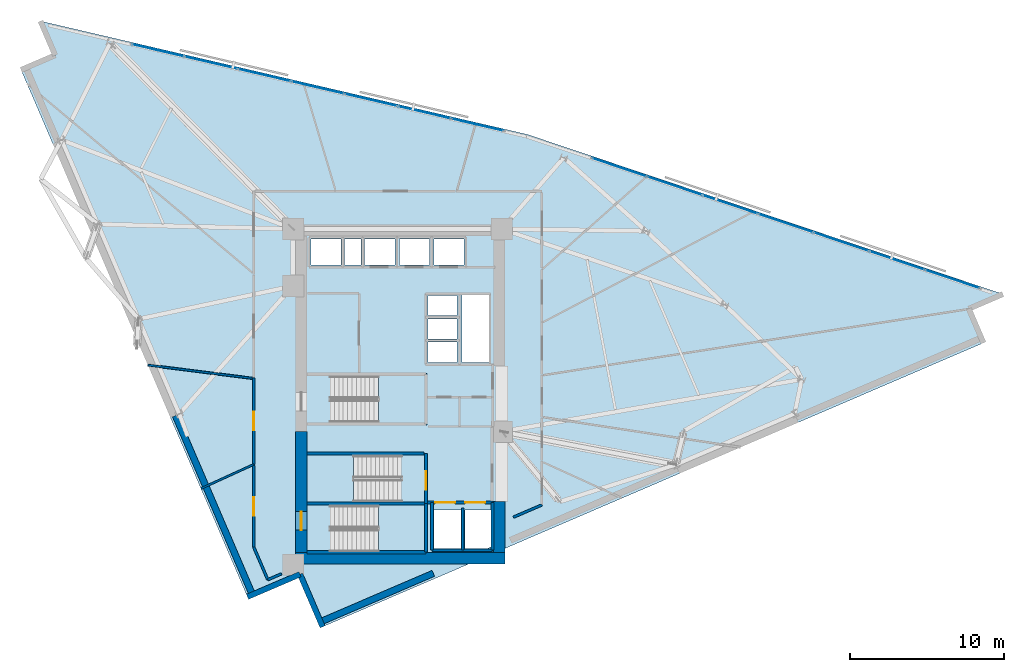
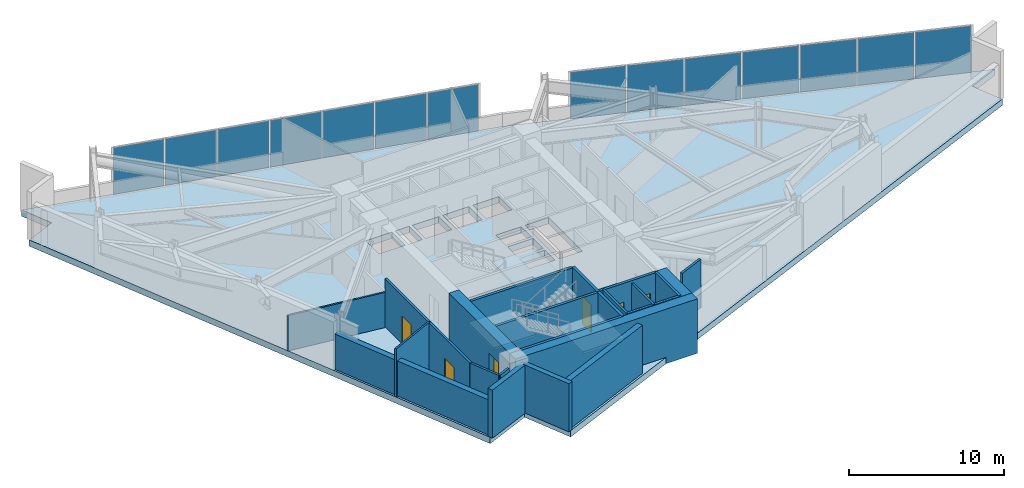
# One storey, part 8 of 14: 24 walls, 14 plates, 6 doors, 4 slabs, 6 openings, 5 elements without a shape of their own.
"""IFC4 building model written with IfcOpenShell, lengths in metres."""

from ifc_helpers import new_model, si_unit, direction, frame, frame_2d, origin, origin_2d, place, context, subcontext, project, spatial, polyline, rectangle, outline, extrude, material, layer, layer_set, type_object, element, fill, aggregate, save


model = new_model("IFC4")

# Units and contexts
model_context = context("Model", 3, precision=1e-05, world=origin(), true_north=direction((0.0, 1.0)))
body_context = subcontext(model_context, "Body", "Model", "MODEL_VIEW")
ifc_project = project(units=[si_unit("LENGTHUNIT", "METRE"), si_unit("AREAUNIT", "SQUARE_METRE"), si_unit("VOLUMEUNIT", "CUBIC_METRE"), si_unit("PLANEANGLEUNIT", "RADIAN"), si_unit("MASSUNIT", "GRAM", prefix="KILO")], contexts=[model_context])

# Site, building, storey
site_placement = place(None, origin())
site = spatial("IfcSite", under=ifc_project, at=site_placement, CompositionType="ELEMENT")
building_placement = place(site_placement, origin())
building = spatial("IfcBuilding", under=site, at=building_placement, Name="Narakoshi Arena Tower", CompositionType="ELEMENT")
storey_placement = place(building_placement, frame((0.0, 0.0, 196.699951171875)))
storey = spatial("IfcBuildingStorey", under=building, at=storey_placement, Name="L53", CompositionType="ELEMENT", Elevation=196.699951171875)

# Curtain wall, plates
ifc_material_1 = material(Name="Anodised bronze aluminium 6063-T6", Category="aluminium")
curtain_wall_type = type_object("IfcCurtainWallType", Name="CW-HYP-MID", PredefinedType="NOTDEFINED", material=ifc_material_1)
curtain_wall_1_placement = place(storey_placement, origin())
curtain_wall_1 = element("IfcCurtainWall", 1, at=curtain_wall_1_placement, inside=storey, type_object=curtain_wall_type, Name="L53 Folded Hypotenuse Curtain Wall 1-1", PredefinedType="NOTDEFINED")
ifc_material_2 = material(Name="Bronze-tinted low-E laminated glass", Category="glass")
ifc_layer_1 = layer(ifc_material_2, 0.0380859375)
ifc_layer_set_1 = layer_set([ifc_layer_1], Name="Bronze-tinted low-E laminated glass")
plate_type = type_object("IfcPlateType", Name="PLT-GLZ-38", PredefinedType="CURTAIN_PANEL", material=ifc_layer_set_1)
plate_1_placement = place(storey_placement, frame((114.78466796875, 53.2509765625, 0.065185546875), z_axis=(0.0, 0.0, 1.0), x_axis=(-0.948003144077, 0.318260960253, 0.0)))
plate_1 = element("IfcPlate", 2, at=plate_1_placement, type_object=plate_type, Name="CW-02 panel 1.1", PredefinedType="CURTAIN_PANEL", context=body_context, shape_type="SweptSolid", body=[
    extrude(rectangle(XDim=3.69287109375, YDim=0.0380859375, at=origin_2d()), origin(), (0.0, 0.0, 1.0), 3.669921875),
])
plate_2_placement = place(storey_placement, frame((111.19482421875, 54.4560546875, 0.065185546875), z_axis=(0.0, 0.0, 1.0), x_axis=(-0.948003144077, 0.318260960253, 0.0)))
plate_2 = element("IfcPlate", 3, at=plate_2_placement, type_object=plate_type, Name="CW-02 panel 2.1", PredefinedType="CURTAIN_PANEL", context=body_context, shape_type="SweptSolid", body=[
    extrude(rectangle(XDim=3.73046875, YDim=0.0380859375, at=origin_2d()), origin(), (0.0, 0.0, 1.0), 3.669921875),
])
plate_3_placement = place(storey_placement, frame((107.58740234375, 55.667236328125, 0.065185546875), z_axis=(0.0, 0.0, 1.0), x_axis=(-0.948003144077, 0.318260960253, 0.0)))
plate_3 = element("IfcPlate", 4, at=plate_3_placement, type_object=plate_type, Name="CW-02 panel 3.1", PredefinedType="CURTAIN_PANEL", context=body_context, shape_type="SweptSolid", body=[
    extrude(rectangle(XDim=3.73046875, YDim=0.0380859375, at=origin_2d()), origin(), (0.0, 0.0, 1.0), 3.669921875),
])
plate_4_placement = place(storey_placement, frame((103.979736328125, 56.87841796875, 0.065185546875), z_axis=(0.0, 0.0, 1.0), x_axis=(-0.948003144077, 0.318260960253, 0.0)))
plate_4 = element("IfcPlate", 5, at=plate_4_placement, type_object=plate_type, Name="CW-02 panel 4.1", PredefinedType="CURTAIN_PANEL", context=body_context, shape_type="SweptSolid", body=[
    extrude(rectangle(XDim=3.73046875, YDim=0.0380859375, at=origin_2d()), origin(), (0.0, 0.0, 1.0), 3.669921875),
])
plate_5_placement = place(storey_placement, frame((100.3720703125, 58.089599609375, 0.065185546875), z_axis=(0.0, 0.0, 1.0), x_axis=(-0.948003144077, 0.318260960253, 0.0)))
plate_5 = element("IfcPlate", 6, at=plate_5_placement, type_object=plate_type, Name="CW-02 panel 5.1", PredefinedType="CURTAIN_PANEL", context=body_context, shape_type="SweptSolid", body=[
    extrude(rectangle(XDim=3.73046875, YDim=0.0380859375, at=origin_2d()), origin(), (0.0, 0.0, 1.0), 3.669921875),
])
plate_6_placement = place(storey_placement, frame((96.7646484375, 59.300537109375, 0.065185546875), z_axis=(0.0, 0.0, 1.0), x_axis=(-0.948003144077, 0.318260960253, 0.0)))
plate_6 = element("IfcPlate", 7, at=plate_6_placement, type_object=plate_type, Name="CW-02 panel 6.1", PredefinedType="CURTAIN_PANEL", context=body_context, shape_type="SweptSolid", body=[
    extrude(rectangle(XDim=3.73046875, YDim=0.0380859375, at=origin_2d()), origin(), (0.0, 0.0, 1.0), 3.669921875),
])
plate_7_placement = place(storey_placement, frame((93.1748046875, 60.505859375, 0.065185546875), z_axis=(0.0, 0.0, 1.0), x_axis=(-0.948003144077, 0.318260960253, 0.0)))
plate_7 = element("IfcPlate", 8, at=plate_7_placement, type_object=plate_type, Name="CW-02 panel 7.1", PredefinedType="CURTAIN_PANEL", context=body_context, shape_type="SweptSolid", body=[
    extrude(rectangle(XDim=3.69287109375, YDim=0.0380859375, at=origin_2d()), origin(), (0.0, 0.0, 1.0), 3.669921875),
])
aggregate(curtain_wall_1, [plate_1, plate_2, plate_3, plate_4, plate_5, plate_6, plate_7])

curtain_wall_2_placement = place(storey_placement, origin())
curtain_wall_2 = element("IfcCurtainWall", 9, at=curtain_wall_2_placement, inside=storey, type_object=curtain_wall_type, Name="L53 Folded Hypotenuse Curtain Wall 2-1", PredefinedType="NOTDEFINED")
plate_8_placement = place(storey_placement, frame((83.964599609375, 63.26806640625, 0.065185546875), z_axis=(0.0, 0.0, 1.0), x_axis=(-0.973959695189, 0.22672122121, 0.0)))
plate_8 = element("IfcPlate", 10, at=plate_8_placement, type_object=plate_type, Name="CW-02 panel 1.1", PredefinedType="CURTAIN_PANEL", context=body_context, shape_type="SweptSolid", body=[
    extrude(rectangle(XDim=3.44091796875, YDim=0.0380859375, at=origin_2d()), origin(), (0.0, 0.0, 1.0), 3.669921875),
])
plate_9_placement = place(storey_placement, frame((80.52197265625, 64.0693359375, 0.065185546875), z_axis=(0.0, 0.0, 1.0), x_axis=(-0.973959695189, 0.22672122121, 0.0)))
plate_9 = element("IfcPlate", 11, at=plate_9_placement, type_object=plate_type, Name="CW-02 panel 2.1", PredefinedType="CURTAIN_PANEL", context=body_context, shape_type="SweptSolid", body=[
    extrude(rectangle(XDim=3.478271484375, YDim=0.0380859375, at=origin_2d()), origin(), (0.0, 0.0, 1.0), 3.669921875),
])
plate_10_placement = place(storey_placement, frame((77.06103515625, 64.875, 0.065185546875), z_axis=(0.0, 0.0, 1.0), x_axis=(-0.973959695189, 0.22672122121, 0.0)))
plate_10 = element("IfcPlate", 12, at=plate_10_placement, type_object=plate_type, Name="CW-02 panel 3.1", PredefinedType="CURTAIN_PANEL", context=body_context, shape_type="SweptSolid", body=[
    extrude(rectangle(XDim=3.478271484375, YDim=0.0380859375, at=origin_2d()), origin(), (0.0, 0.0, 1.0), 3.669921875),
])
plate_11_placement = place(storey_placement, frame((73.60009765625, 65.6806640625, 0.065185546875), z_axis=(0.0, 0.0, 1.0), x_axis=(-0.973959695189, 0.22672122121, 0.0)))
plate_11 = element("IfcPlate", 13, at=plate_11_placement, type_object=plate_type, Name="CW-02 panel 4.1", PredefinedType="CURTAIN_PANEL", context=body_context, shape_type="SweptSolid", body=[
    extrude(rectangle(XDim=3.478271484375, YDim=0.0380859375, at=origin_2d()), origin(), (0.0, 0.0, 1.0), 3.669921875),
])
plate_12_placement = place(storey_placement, frame((70.139404296875, 66.486328125, 0.065185546875), z_axis=(0.0, 0.0, 1.0), x_axis=(-0.973959695189, 0.22672122121, 0.0)))
plate_12 = element("IfcPlate", 14, at=plate_12_placement, type_object=plate_type, Name="CW-02 panel 5.1", PredefinedType="CURTAIN_PANEL", context=body_context, shape_type="SweptSolid", body=[
    extrude(rectangle(XDim=3.478271484375, YDim=0.0380859375, at=origin_2d()), origin(), (0.0, 0.0, 1.0), 3.669921875),
])
plate_13_placement = place(storey_placement, frame((66.678466796875, 67.2919921875, 0.065185546875), z_axis=(0.0, 0.0, 1.0), x_axis=(-0.973959695189, 0.22672122121, 0.0)))
plate_13 = element("IfcPlate", 15, at=plate_13_placement, type_object=plate_type, Name="CW-02 panel 6.1", PredefinedType="CURTAIN_PANEL", context=body_context, shape_type="SweptSolid", body=[
    extrude(rectangle(XDim=3.478271484375, YDim=0.0380859375, at=origin_2d()), origin(), (0.0, 0.0, 1.0), 3.669921875),
])
plate_14_placement = place(storey_placement, frame((63.23583984375, 68.09326171875, 0.065185546875), z_axis=(0.0, 0.0, 1.0), x_axis=(-0.973959695189, 0.22672122121, 0.0)))
plate_14 = element("IfcPlate", 16, at=plate_14_placement, type_object=plate_type, Name="CW-02 panel 7.1", PredefinedType="CURTAIN_PANEL", context=body_context, shape_type="SweptSolid", body=[
    extrude(rectangle(XDim=3.44091796875, YDim=0.0380859375, at=origin_2d()), origin(), (0.0, 0.0, 1.0), 3.669921875),
])
aggregate(curtain_wall_2, [plate_8, plate_9, plate_10, plate_11, plate_12, plate_13, plate_14])

# Stair, slab
ifc_material_3 = material(Name="Concrete C45/55", Category="concrete")
stair_type = type_object("IfcStairType", Name="STR-PLANT-420", PredefinedType="TWO_STRAIGHT_RUN_STAIR", material=ifc_material_3)
stair_1_placement = place(storey_placement, origin())
stair_1 = element("IfcStair", 17, at=stair_1_placement, inside=storey, type_object=stair_type, Name="L53 Core Escape Stair ST1", PredefinedType="TWO_STRAIGHT_RUN_STAIR")
ifc_layer_2 = layer(ifc_material_3, 0.18994140625)
ifc_layer_set_2 = layer_set([ifc_layer_2], Name="Concrete C45/55")
slab_type_1 = type_object("IfcSlabType", Name="SLB-LND-190", PredefinedType="LANDING", material=ifc_layer_set_2)
slab_1_placement = place(storey_placement, frame((0.0, 0.0, 1.91015625)))
slab_1 = element("IfcSlab", 18, at=slab_1_placement, type_object=slab_type_1, Name="ST1 landing 1", PredefinedType="LANDING", context=body_context, shape_type="SweptSolid", body=[
    extrude(outline(polyline([(77.534912109375, 35.3701171875), (80.679931640625, 35.3701171875), (80.679931640625, 38.72998046875), (77.534912109375, 38.72998046875), (77.534912109375, 35.3701171875)])), origin(), (0.0, 0.0, 1.0), 0.18994140625),
])
aggregate(stair_1, [slab_1])

stair_2_placement = place(storey_placement, origin())
stair_2 = element("IfcStair", 19, at=stair_2_placement, inside=storey, type_object=stair_type, Name="L53 Core Escape Stair ST2", PredefinedType="TWO_STRAIGHT_RUN_STAIR")
slab_2_placement = place(storey_placement, frame((0.0, 0.0, 1.91015625)))
slab_2 = element("IfcSlab", 20, at=slab_2_placement, type_object=slab_type_1, Name="ST2 landing 1", PredefinedType="LANDING", context=body_context, shape_type="SweptSolid", body=[
    extrude(outline(polyline([(72.77001953125, 38.6201171875), (75.9150390625, 38.6201171875), (75.9150390625, 41.97998046875), (72.77001953125, 41.97998046875), (72.77001953125, 38.6201171875)])), origin(), (0.0, 0.0, 1.0), 0.18994140625),
])
aggregate(stair_2, [slab_2])

stair_3_placement = place(storey_placement, origin())
stair_3 = element("IfcStair", 21, at=stair_3_placement, inside=storey, type_object=stair_type, Name="L53 Core Escape Stair ST3", PredefinedType="TWO_STRAIGHT_RUN_STAIR")
slab_3_placement = place(storey_placement, frame((0.0, 0.0, 1.91015625)))
slab_3 = element("IfcSlab", 22, at=slab_3_placement, type_object=slab_type_1, Name="ST3 landing 1", PredefinedType="LANDING", context=body_context, shape_type="SweptSolid", body=[
    extrude(outline(polyline([(77.534912109375, 43.77001953125), (80.679931640625, 43.77001953125), (80.679931640625, 47.1298828125), (77.534912109375, 47.1298828125), (77.534912109375, 43.77001953125)])), origin(), (0.0, 0.0, 1.0), 0.18994140625),
])
aggregate(stair_3, [slab_3])

# Slab
ifc_material_4 = material(Name="Concrete C50/60", Category="concrete")
ifc_layer_3 = layer(ifc_material_4, 0.5)
ifc_layer_set_3 = layer_set([ifc_layer_3], Name="Concrete C50/60")
slab_type_2 = type_object("IfcSlabType", Name="SLB-XFER-500", PredefinedType="FLOOR", material=ifc_layer_set_3)
slab_4_placement = place(storey_placement, frame((0.0, 0.0, -0.5)))
element("IfcSlab", 23, at=slab_4_placement, inside=storey, type_object=slab_type_2, Name="L53 Structural Floor Slab", PredefinedType="FLOOR", context=body_context, shape_type="SweptSolid", body=[
    extrude(outline(polyline([(73.9169921875, 30.68115234375), (116.8017578125, 49.105712890625), (115.84912109375, 51.3232421875), (118.06640625, 52.27587890625), (87.201416015625, 62.6376953125), (55.614013671875, 69.99072265625), (56.56640625, 67.7734375), (54.34912109375, 66.82080078125), (69.0400390625, 32.626708984375), (72.451416015625, 34.09228515625), (73.9169921875, 30.68115234375)]), holes=[polyline([(80.5, 35.550048828125), (74.47998046875, 35.550048828125), (74.47998046875, 38.550048828125), (80.5, 38.550048828125), (80.5, 35.550048828125)]), polyline([(82.89990234375, 35.75), (81.14990234375, 35.75), (81.14990234375, 38.25), (82.89990234375, 38.25), (82.89990234375, 35.75)]), polyline([(84.5751953125, 35.75), (83.14990234375, 35.75), (83.14990234375, 38.25), (84.89990234375, 38.25), (84.89990234375, 35.889404296875), (84.5751953125, 35.75)]), polyline([(72.949951171875, 38.800048828125), (72.949951171875, 41.800048828125), (78.969970703125, 41.800048828125), (78.969970703125, 38.800048828125), (72.949951171875, 38.800048828125)]), polyline([(74.47998046875, 43.949951171875), (74.47998046875, 46.949951171875), (80.5, 46.949951171875), (80.5, 43.949951171875), (74.47998046875, 43.949951171875)]), polyline([(82.949951171875, 47.840087890625), (82.949951171875, 52.199951171875), (84.699951171875, 52.199951171875), (84.699951171875, 47.840087890625), (82.949951171875, 47.840087890625)]), polyline([(80.75, 47.85009765625), (80.75, 49.14990234375), (82.64990234375, 49.14990234375), (82.64990234375, 47.85009765625), (80.75, 47.85009765625)]), polyline([(80.75, 49.3701171875), (80.75, 50.669921875), (82.64990234375, 50.669921875), (82.64990234375, 49.3701171875), (80.75, 49.3701171875)]), polyline([(80.75, 50.889892578125), (80.75, 52.18994140625), (82.64990234375, 52.18994140625), (82.64990234375, 50.889892578125), (80.75, 50.889892578125)]), polyline([(73.14990234375, 54.14990234375), (73.14990234375, 55.85009765625), (75.10009765625, 55.85009765625), (75.10009765625, 54.14990234375), (73.14990234375, 54.14990234375)]), polyline([(75.35009765625, 54.14990234375), (75.35009765625, 55.85009765625), (76.39990234375, 55.85009765625), (76.39990234375, 54.14990234375), (75.35009765625, 54.14990234375)]), polyline([(76.64990234375, 54.14990234375), (76.64990234375, 55.85009765625), (78.60009765625, 55.85009765625), (78.60009765625, 54.14990234375), (76.64990234375, 54.14990234375)]), polyline([(78.89990234375, 54.14990234375), (78.89990234375, 55.85009765625), (80.85009765625, 55.85009765625), (80.85009765625, 54.14990234375), (78.89990234375, 54.14990234375)]), polyline([(81.14990234375, 54.14990234375), (81.14990234375, 55.85009765625), (83.10009765625, 55.85009765625), (83.10009765625, 54.14990234375), (81.14990234375, 54.14990234375)])]), origin(), (0.0, 0.0, 1.0), 0.5),
])

# Wall, opening, door
ifc_layer_4 = layer(ifc_material_4, 0.75)
ifc_layer_set_4 = layer_set([ifc_layer_4], Name="Concrete C50/60")
wall_type_1 = type_object("IfcWallType", Name="WL-CORE-750", PredefinedType="SHEAR", material=ifc_layer_set_4)
wall_1_placement = place(storey_placement, frame((72.52490234375, 35.5, -0.5), z_axis=(0.0, 0.0, 1.0), x_axis=(0.0, 1.0, 0.0)))
wall_1 = element("IfcWall", 24, at=wall_1_placement, inside=storey, type_object=wall_type_1, Name="L53 Central Core Shear Wall CW-APX-W", PredefinedType="SHEAR", context=body_context, shape_type="SweptSolid", body=[
    extrude(rectangle(XDim=7.85009765625, YDim=0.75, at=frame_2d((3.925048828125, 0.0))), origin(), (0.0, 0.0, 1.0), 4.300048828125),
])
opening_1_placement = place(wall_1_placement, frame((1.449951171875, 0.0, 0.5)))
opening_1 = element("IfcOpeningElement", 25, at=opening_1_placement, cuts=wall_1, Name="Opening D-03", PredefinedType="OPENING", context=body_context, shape_type="SweptSolid", body=[
    extrude(rectangle(XDim=1.199951171875, YDim=2.199951171875, at=frame_2d((0.60009765625, 1.10009765625))), frame((0.0, 0.385009765625, 0.0), z_axis=(0.0, -1.0, 0.0), x_axis=(1.0, 0.0, 0.0)), (0.0, 0.0, 1.0), 0.77001953125),
])
ifc_material_5 = material(Name="Painted galvanized steel", Category="steel")
door_type_1 = type_object("IfcDoorType", Name="DR-STR-1200", OperationType="NOTDEFINED", PredefinedType="USERDEFINED", material=ifc_material_5)
door_1_placement = place(opening_1_placement, frame((1.199951171875, 0.0, 0.0), z_axis=(0.0, 0.0, 1.0), x_axis=(-1.0, 0.0, 0.0)))
door_1 = element("IfcDoor", 26, at=door_1_placement, inside=storey, type_object=door_type_1, Name="DR-L53-001", ObjectType="EXITDOOR", OperationType="SINGLE_SWING_LEFT", OverallHeight=2.199951171875, OverallWidth=1.199951171875, PredefinedType="USERDEFINED", context=body_context, shape_type="SweptSolid", body=[
    extrude(rectangle(XDim=1.199951171875, YDim=2.199951171875, at=frame_2d((0.60009765625, 1.10009765625))), frame((0.0, 0.02490234375, 0.0), z_axis=(0.0, -1.0, 0.0), x_axis=(1.0, 0.0, 0.0)), (0.0, 0.0, 1.0), 0.050048828125),
])
fill(opening_1, door_1)

# Walls
wall_2_placement = place(storey_placement, frame((72.14990234375, 35.125, -0.5), z_axis=(0.0, 0.0, 1.0), x_axis=(1.0, 0.0, 0.0)))
element("IfcWall", 27, at=wall_2_placement, inside=storey, type_object=wall_type_1, Name="L53 Central Core Shear Wall CW-APX-S", PredefinedType="SHEAR", context=body_context, shape_type="SweptSolid", body=[
    extrude(rectangle(XDim=13.60009765625, YDim=0.75, at=frame_2d((6.800048828125, 0.0))), origin(), (0.0, 0.0, 1.0), 4.300048828125),
])
wall_3_placement = place(storey_placement, frame((85.375, 35.5, -0.5), z_axis=(0.0, 0.0, 1.0), x_axis=(0.0, 1.0, 0.0)))
element("IfcWall", 28, at=wall_3_placement, inside=storey, type_object=wall_type_1, Name="L53 Central Core Shear Wall CW-APX-E", PredefinedType="SHEAR", context=body_context, shape_type="SweptSolid", body=[
    extrude(rectangle(XDim=3.300048828125, YDim=0.75, at=frame_2d((1.64990234375, 0.0))), origin(), (0.0, 0.0, 1.0), 4.300048828125),
])

# Wall, opening, door
ifc_material_6 = material(Name="Gypsum plasterboard fire-rated partition")
ifc_layer_5 = layer(ifc_material_6, 0.1650390625)
ifc_layer_set_5 = layer_set([ifc_layer_5], Name="Gypsum plasterboard fire-rated partition")
wall_type_2 = type_object("IfcWallType", Name="WL-CORR-165", PredefinedType="PARTITIONING", material=ifc_layer_set_5)
wall_4_placement = place(storey_placement, frame((69.449951171875, 46.830078125, 0.0), z_axis=(0.0, 0.0, 1.0), x_axis=(0.0, -1.0, 0.0)))
wall_4 = element("IfcWall", 29, at=wall_4_placement, inside=storey, type_object=wall_type_2, Name="L53 Corridor Partition 01-1", PredefinedType="PARTITIONING", context=body_context, shape_type="SweptSolid", body=[
    extrude(rectangle(XDim=5.6083984375, YDim=0.1650390625, at=frame_2d((2.80419921875, 0.0))), origin(), (0.0, 0.0, 1.0), 3.800048828125),
])
opening_2_placement = place(wall_4_placement, frame((2.204345703125, 0.0, 0.0)))
opening_2 = element("IfcOpeningElement", 30, at=opening_2_placement, cuts=wall_4, Name="Opening D-03", PredefinedType="OPENING", context=body_context, shape_type="SweptSolid", body=[
    extrude(rectangle(XDim=1.199951171875, YDim=2.199951171875, at=frame_2d((0.60009765625, 1.10009765625))), frame((0.0, 0.092529296875, 0.0), z_axis=(0.0, -1.0, 0.0), x_axis=(1.0, 0.0, 0.0)), (0.0, 0.0, 1.0), 0.18505859375),
])
door_2_placement = place(opening_2_placement, frame((1.199951171875, 0.0, 0.0), z_axis=(0.0, 0.0, 1.0), x_axis=(-1.0, 0.0, 0.0)))
door_2 = element("IfcDoor", 31, at=door_2_placement, inside=storey, type_object=door_type_1, Name="DR-L53-014", ObjectType="EXITDOOR", OperationType="SINGLE_SWING_LEFT", OverallHeight=2.199951171875, OverallWidth=1.199951171875, PredefinedType="USERDEFINED", context=body_context, shape_type="SweptSolid", body=[
    extrude(rectangle(XDim=1.199951171875, YDim=2.199951171875, at=frame_2d((0.60009765625, 1.10009765625))), frame((0.0, 0.02490234375, 0.0), z_axis=(0.0, -1.0, 0.0), x_axis=(1.0, 0.0, 0.0)), (0.0, 0.0, 1.0), 0.050048828125),
])
fill(opening_2, door_2)

wall_5_placement = place(storey_placement, frame((69.449951171875, 41.1396484375, 0.0), z_axis=(0.0, 0.0, 1.0), x_axis=(0.0, -1.0, 0.0)))
wall_5 = element("IfcWall", 32, at=wall_5_placement, inside=storey, type_object=wall_type_2, Name="L53 Corridor Partition 02-1", PredefinedType="PARTITIONING", context=body_context, shape_type="SweptSolid", body=[
    extrude(rectangle(XDim=5.286865234375, YDim=0.1650390625, at=frame_2d((2.6435546875, 0.0))), origin(), (0.0, 0.0, 1.0), 3.800048828125),
])
opening_3_placement = place(wall_5_placement, frame((2.04345703125, 0.0, 0.0)))
opening_3 = element("IfcOpeningElement", 33, at=opening_3_placement, cuts=wall_5, Name="Opening D-03", PredefinedType="OPENING", context=body_context, shape_type="SweptSolid", body=[
    extrude(rectangle(XDim=1.199951171875, YDim=2.199951171875, at=frame_2d((0.60009765625, 1.10009765625))), frame((0.0, 0.092529296875, 0.0), z_axis=(0.0, -1.0, 0.0), x_axis=(1.0, 0.0, 0.0)), (0.0, 0.0, 1.0), 0.18505859375),
])
door_3_placement = place(opening_3_placement, frame((1.199951171875, 0.0, 0.0), z_axis=(0.0, 0.0, 1.0), x_axis=(-1.0, 0.0, 0.0)))
door_3 = element("IfcDoor", 34, at=door_3_placement, inside=storey, type_object=door_type_1, Name="DR-L53-015", ObjectType="EXITDOOR", OperationType="SINGLE_SWING_RIGHT", OverallHeight=2.199951171875, OverallWidth=1.199951171875, PredefinedType="USERDEFINED", context=body_context, shape_type="SweptSolid", body=[
    extrude(rectangle(XDim=1.199951171875, YDim=2.199951171875, at=frame_2d((0.60009765625, 1.10009765625))), frame((0.0, 0.02490234375, 0.0), z_axis=(0.0, -1.0, 0.0), x_axis=(1.0, 0.0, 0.0)), (0.0, 0.0, 1.0), 0.050048828125),
])
fill(opening_3, door_3)

# Walls
wall_6_placement = place(storey_placement, frame((69.449951171875, 35.852783203125, 0.0), z_axis=(0.0, 0.0, 1.0), x_axis=(0.394712687444, -0.918804600756, 0.0)))
element("IfcWall", 35, at=wall_6_placement, inside=storey, type_object=wall_type_2, Name="L53 Corridor Partition 02-2", PredefinedType="PARTITIONING", context=body_context, shape_type="SweptSolid", body=[
    extrude(rectangle(XDim=2.30224609375, YDim=0.1650390625, at=frame_2d((1.151123046875, 0.0))), origin(), (0.0, 0.0, 1.0), 3.800048828125),
])
wall_7_placement = place(storey_placement, frame((70.358642578125, 33.737548828125, 0.0), z_axis=(0.0, 0.0, 1.0), x_axis=(0.918845364602, 0.394617784633, 0.0)))
element("IfcWall", 36, at=wall_7_placement, inside=storey, type_object=wall_type_2, Name="L53 Corridor Partition 02-3", PredefinedType="PARTITIONING", context=body_context, shape_type="SweptSolid", body=[
    extrude(rectangle(XDim=0.969970703125, YDim=0.1650390625, at=frame_2d((0.48486328125, 0.0))), origin(), (0.0, 0.0, 1.0), 3.800048828125),
])
wall_8_placement = place(storey_placement, frame((86.300048828125, 37.797119140625, 0.0), z_axis=(0.0, 0.0, 1.0), x_axis=(0.918805991545, 0.394709449977, 0.0)))
element("IfcWall", 37, at=wall_8_placement, inside=storey, type_object=wall_type_2, Name="L53 Corridor Partition 03-2", PredefinedType="PARTITIONING", context=body_context, shape_type="SweptSolid", body=[
    extrude(rectangle(XDim=2.013427734375, YDim=0.1650390625, at=frame_2d((1.0068359375, 0.0))), origin(), (0.0, 0.0, 1.0), 3.800048828125),
])
ifc_layer_6 = layer(ifc_material_6, 0.125)
ifc_layer_set_6 = layer_set([ifc_layer_6], Name="Gypsum plasterboard fire-rated partition")
wall_type_3 = type_object("IfcWallType", Name="WL-PART-125", PredefinedType="PARTITIONING", material=ifc_layer_set_6)
wall_9_placement = place(storey_placement, frame((69.449951171875, 41.2216796875, 0.0), z_axis=(0.0, 0.0, 1.0), x_axis=(-0.90943949501, -0.415836271766, 0.0)))
element("IfcWall", 38, at=wall_9_placement, inside=storey, type_object=wall_type_3, Name="L53 Inter-Room Partition 01-02", PredefinedType="PARTITIONING", context=body_context, shape_type="SweptSolid", body=[
    extrude(rectangle(XDim=3.7705078125, YDim=0.125, at=frame_2d((1.88525390625, 0.0))), origin(), (0.0, 0.0, 1.0), 3.800048828125),
])
wall_10_placement = place(storey_placement, frame((62.5791015625, 47.665283203125, 0.0), z_axis=(0.0, 0.0, 1.0), x_axis=(0.99206305475, -0.125741383002, 0.0)))
element("IfcWall", 39, at=wall_10_placement, inside=storey, type_object=wall_type_3, Name="L53 Inter-Room Partition 01-11", PredefinedType="PARTITIONING", context=body_context, shape_type="SweptSolid", body=[
    extrude(rectangle(XDim=6.83056640625, YDim=0.125, at=frame_2d((3.415283203125, 0.0))), origin(), (0.0, 0.0, 1.0), 2.777099609375),
])
ifc_material_7 = material(Name="Precast concrete C45/55", Category="concrete")
ifc_layer_7 = layer(ifc_material_7, 0.419921875)
ifc_layer_set_7 = layer_set([ifc_layer_7], Name="Precast concrete C45/55")
wall_type_4 = type_object("IfcWallType", Name="WL-POD-420", PredefinedType="SOLIDWALL", material=ifc_layer_set_7)
wall_11_placement = place(storey_placement, frame((73.77880859375, 31.002685546875, 0.0), z_axis=(0.0, 0.0, 1.0), x_axis=(0.918797817688, 0.394728476565, 0.0)))
element("IfcWall", 40, at=wall_11_placement, inside=storey, type_object=wall_type_4, Name="L53 Architectural Concrete Facade Wall LEGA-1", PredefinedType="SOLIDWALL", context=body_context, shape_type="SweptSolid", body=[
    extrude(rectangle(XDim=7.97314453125, YDim=0.419921875, at=frame_2d((3.986572265625, 0.0))), origin(), (0.0, 0.0, 1.0), 3.800048828125),
])
wall_12_placement = place(storey_placement, frame((64.36669921875, 44.390869140625, 0.0), z_axis=(0.0, 0.0, 1.0), x_axis=(0.394757430431, -0.918785378159, 0.0)))
element("IfcWall", 41, at=wall_12_placement, inside=storey, type_object=wall_type_4, Name="L53 Architectural Concrete Facade Wall LEGB-3", PredefinedType="SOLIDWALL", context=body_context, shape_type="SweptSolid", body=[
    extrude(rectangle(XDim=12.653564453125, YDim=0.419921875, at=frame_2d((6.32666015625, 0.0))), origin(), (0.0, 0.0, 1.0), 2.777099609375),
])
wall_13_placement = place(storey_placement, frame((69.0400390625, 32.626708984375, 0.0), z_axis=(0.0, 0.0, 1.0), x_axis=(0.91879775808, 0.394728615312, 0.0)))
element("IfcWall", 42, at=wall_13_placement, inside=storey, type_object=wall_type_4, Name="L53 Re-Entrant Corner Notch Wall NTA-1", PredefinedType="SOLIDWALL", context=body_context, shape_type="SweptSolid", body=[
    extrude(rectangle(XDim=3.712890625, YDim=0.360107421875, at=frame_2d((1.8564453125, 0.0))), origin(), (0.0, 0.0, 1.0), 3.800048828125),
])
wall_14_placement = place(storey_placement, frame((72.451416015625, 34.09228515625, 0.0), z_axis=(0.0, 0.0, 1.0), x_axis=(0.394752464447, -0.918787511786, 0.0)))
element("IfcWall", 43, at=wall_14_placement, inside=storey, type_object=wall_type_4, Name="L53 Re-Entrant Corner Notch Wall NTA-2", PredefinedType="SOLIDWALL", context=body_context, shape_type="SweptSolid", body=[
    extrude(rectangle(XDim=3.712646484375, YDim=0.360107421875, at=frame_2d((1.8564453125, 0.0))), origin(), (0.0, 0.0, 1.0), 3.800048828125),
])
ifc_material_8 = material(Name="Concrete C40/50", Category="concrete")
ifc_layer_8 = layer(ifc_material_8, 0.280029296875)
ifc_layer_set_8 = layer_set([ifc_layer_8], Name="Concrete C40/50")
wall_type_5 = type_object("IfcWallType", Name="WL-RISER-280", PredefinedType="PLUMBINGWALL", material=ifc_layer_set_8)
wall_15_placement = place(storey_placement, frame((83.0, 35.64990234375, 0.0), z_axis=(0.0, 0.0, 1.0), x_axis=(0.0, 1.0, 0.0)))
element("IfcWall", 44, at=wall_15_placement, inside=storey, type_object=wall_type_5, Name="L53 Core Wall FF-DIV", PredefinedType="PLUMBINGWALL", context=body_context, shape_type="SweptSolid", body=[
    extrude(rectangle(XDim=2.75, YDim=0.159912109375, at=frame_2d((1.375, 0.0))), origin(), (0.0, 0.0, 1.0), 3.800048828125),
])
ifc_layer_9 = layer(ifc_material_4, 0.35009765625)
ifc_layer_set_9 = layer_set([ifc_layer_9], Name="Concrete C50/60")
wall_type_6 = type_object("IfcWallType", Name="WL-SHAFT-350", PredefinedType="SOLIDWALL", material=ifc_layer_set_9)
for number, where, z_axis, x_axis, name in (
    (45, (72.919921875, 35.52001953125, -0.5), (0.0, 0.0, 1.0), (1.0, 0.0, 0.0), "L53 Core Wall ST1-S"),
    (46, (72.919921875, 38.675048828125, -0.5), (0.0, 0.0, 1.0), (1.0, 0.0, 0.0), "L53 Core Wall ST12-DIV"),
):
    element("IfcWall", number, at=place(storey_placement, frame(where, z_axis=z_axis, x_axis=x_axis)), inside=storey, type_object=wall_type_6, Name=name, PredefinedType="SOLIDWALL", context=body_context, shape_type="SweptSolid", body=[
        extrude(rectangle(XDim=7.7001953125, YDim=0.199951171875, at=frame_2d((3.85009765625, 0.0))), origin(), (0.0, 0.0, 1.0), 4.300048828125),
    ])
wall_16_placement = place(storey_placement, frame((80.6201171875, 35.52001953125, -0.5), z_axis=(0.0, 0.0, 1.0), x_axis=(0.0, 1.0, 0.0)))
element("IfcWall", 47, at=wall_16_placement, inside=storey, type_object=wall_type_6, Name="L53 Core Wall ST1-E", PredefinedType="SOLIDWALL", context=body_context, shape_type="SweptSolid", body=[
    extrude(rectangle(XDim=3.155029296875, YDim=0.199951171875, at=frame_2d((1.57763671875, 0.0))), origin(), (0.0, 0.0, 1.0), 4.300048828125),
])

# Wall, opening, door
wall_17_placement = place(storey_placement, frame((80.6201171875, 38.675048828125, -0.5), z_axis=(0.0, 0.0, 1.0), x_axis=(0.0, 1.0, 0.0)))
wall_17 = element("IfcWall", 48, at=wall_17_placement, inside=storey, type_object=wall_type_6, Name="L53 Core Wall ST2-E", PredefinedType="SOLIDWALL", context=body_context, shape_type="SweptSolid", body=[
    extrude(rectangle(XDim=3.244873046875, YDim=0.199951171875, at=frame_2d((1.62255859375, 0.0))), origin(), (0.0, 0.0, 1.0), 4.300048828125),
])
opening_4_placement = place(wall_17_placement, frame((0.89990234375, 0.0, 0.5)))
opening_4 = element("IfcOpeningElement", 49, at=opening_4_placement, cuts=wall_17, Name="Opening D-03", PredefinedType="OPENING", context=body_context, shape_type="SweptSolid", body=[
    extrude(rectangle(XDim=1.199951171875, YDim=2.199951171875, at=frame_2d((0.60009765625, 1.10009765625))), frame((0.0, 0.10986328125, 0.0), z_axis=(0.0, -1.0, 0.0), x_axis=(1.0, 0.0, 0.0)), (0.0, 0.0, 1.0), 0.219970703125),
])
door_4_placement = place(opening_4_placement, origin())
door_4 = element("IfcDoor", 50, at=door_4_placement, inside=storey, type_object=door_type_1, Name="DR-L53-002", ObjectType="EXITDOOR", OperationType="SINGLE_SWING_RIGHT", OverallHeight=2.199951171875, OverallWidth=1.199951171875, PredefinedType="USERDEFINED", context=body_context, shape_type="SweptSolid", body=[
    extrude(rectangle(XDim=1.199951171875, YDim=2.199951171875, at=frame_2d((0.60009765625, 1.10009765625))), frame((0.0, 0.02490234375, 0.0), z_axis=(0.0, -1.0, 0.0), x_axis=(1.0, 0.0, 0.0)), (0.0, 0.0, 1.0), 0.050048828125),
])
fill(opening_4, door_4)

# Wall, openings, doors
wall_18_placement = place(storey_placement, frame((80.719970703125, 38.75, 0.0), z_axis=(0.0, 0.0, 1.0), x_axis=(1.0, 0.0, 0.0)))
wall_18 = element("IfcWall", 51, at=wall_18_placement, inside=storey, type_object=wall_type_6, Name="L53 Core Wall FF-N", PredefinedType="SOLIDWALL", context=body_context, shape_type="SweptSolid", body=[
    extrude(rectangle(XDim=4.260009765625, YDim=0.199951171875, at=frame_2d((2.1298828125, 0.0))), origin(), (0.0, 0.0, 1.0), 3.800048828125),
])
opening_5_placement = place(wall_18_placement, frame((0.5, 0.0, 0.0)))
opening_5 = element("IfcOpeningElement", 52, at=opening_5_placement, cuts=wall_18, Name="Opening LD-02", PredefinedType="OPENING", context=body_context, shape_type="SweptSolid", body=[
    extrude(rectangle(XDim=1.300048828125, YDim=2.300048828125, at=frame_2d((0.64990234375, 1.14990234375))), frame((0.0, 0.10986328125, 0.0), z_axis=(0.0, -1.0, 0.0), x_axis=(1.0, 0.0, 0.0)), (0.0, 0.0, 1.0), 0.219970703125),
])
opening_6_placement = place(wall_18_placement, frame((2.449951171875, 0.0, 0.0)))
opening_6 = element("IfcOpeningElement", 53, at=opening_6_placement, cuts=wall_18, Name="Opening LD-02", PredefinedType="OPENING", context=body_context, shape_type="SweptSolid", body=[
    extrude(rectangle(XDim=1.300048828125, YDim=2.300048828125, at=frame_2d((0.64990234375, 1.14990234375))), frame((0.0, 0.10986328125, 0.0), z_axis=(0.0, -1.0, 0.0), x_axis=(1.0, 0.0, 0.0)), (0.0, 0.0, 1.0), 0.219970703125),
])
ifc_material_9 = material(Name="Brushed bronze stainless steel", Category="steel")
door_type_2 = type_object("IfcDoorType", Name="DR-LFT-1300", OperationType="DOUBLE_DOOR_SLIDING", PredefinedType="DOOR", material=ifc_material_9)
door_5_placement = place(opening_5_placement, origin())
door_5 = element("IfcDoor", 54, at=door_5_placement, inside=storey, type_object=door_type_2, Name="DR-L53-003", OperationType="DOUBLE_DOOR_SLIDING", OverallHeight=2.300048828125, OverallWidth=1.300048828125, PredefinedType="DOOR", context=body_context, shape_type="SweptSolid", body=[
    extrude(rectangle(XDim=1.300048828125, YDim=2.300048828125, at=frame_2d((0.64990234375, 1.14990234375))), frame((0.0, 0.02490234375, 0.0), z_axis=(0.0, -1.0, 0.0), x_axis=(1.0, 0.0, 0.0)), (0.0, 0.0, 1.0), 0.050048828125),
])
fill(opening_5, door_5)
door_6_placement = place(opening_6_placement, origin())
door_6 = element("IfcDoor", 55, at=door_6_placement, inside=storey, type_object=door_type_2, Name="DR-L53-004", OperationType="DOUBLE_DOOR_SLIDING", OverallHeight=2.300048828125, OverallWidth=1.300048828125, PredefinedType="DOOR", context=body_context, shape_type="SweptSolid", body=[
    extrude(rectangle(XDim=1.300048828125, YDim=2.300048828125, at=frame_2d((0.64990234375, 1.14990234375))), frame((0.0, 0.02490234375, 0.0), z_axis=(0.0, -1.0, 0.0), x_axis=(1.0, 0.0, 0.0)), (0.0, 0.0, 1.0), 0.050048828125),
])
fill(opening_6, door_6)

# Walls
for number, where, z_axis, x_axis, name in (
    (56, (84.949951171875, 35.64990234375, 0.0), (0.0, 0.0, 1.0), (0.0, 1.0, 0.0), "L53 Core Wall FF-E"),
    (57, (81.02001953125, 35.64990234375, 0.0), (0.0, 0.0, 1.0), (0.0, 1.0, 0.0), "L53 Core Wall FF-W"),
):
    element("IfcWall", number, at=place(storey_placement, frame(where, z_axis=z_axis, x_axis=x_axis)), inside=storey, type_object=wall_type_6, Name=name, PredefinedType="SOLIDWALL", context=body_context, shape_type="SweptSolid", body=[
        extrude(rectangle(XDim=3.10009765625, YDim=0.179931640625, at=frame_2d((1.550048828125, 0.0))), origin(), (0.0, 0.0, 1.0), 3.800048828125),
    ])
wall_19_placement = place(storey_placement, frame((81.02001953125, 35.64990234375, 0.0), z_axis=(0.0, 0.0, 1.0), x_axis=(1.0, 0.0, 0.0)))
element("IfcWall", 58, at=wall_19_placement, inside=storey, type_object=wall_type_6, Name="L53 Core Wall FF-S", PredefinedType="SOLIDWALL", context=body_context, shape_type="SweptSolid", body=[
    extrude(rectangle(XDim=3.929931640625, YDim=0.179931640625, at=frame_2d((1.96484375, 0.0))), origin(), (0.0, 0.0, 1.0), 3.800048828125),
])
wall_20_placement = place(storey_placement, frame((72.919921875, 41.919921875, -0.5), z_axis=(0.0, 0.0, 1.0), x_axis=(1.0, 0.0, 0.0)))
element("IfcWall", 59, at=wall_20_placement, inside=storey, type_object=wall_type_6, Name="L53 Core Wall ST2-N", PredefinedType="SOLIDWALL", context=body_context, shape_type="SweptSolid", body=[
    extrude(rectangle(XDim=7.580078125, YDim=0.199951171875, at=frame_2d((3.7900390625, 0.0))), origin(), (0.0, 0.0, 1.0), 4.300048828125),
])

save(model, "model.ifc")
